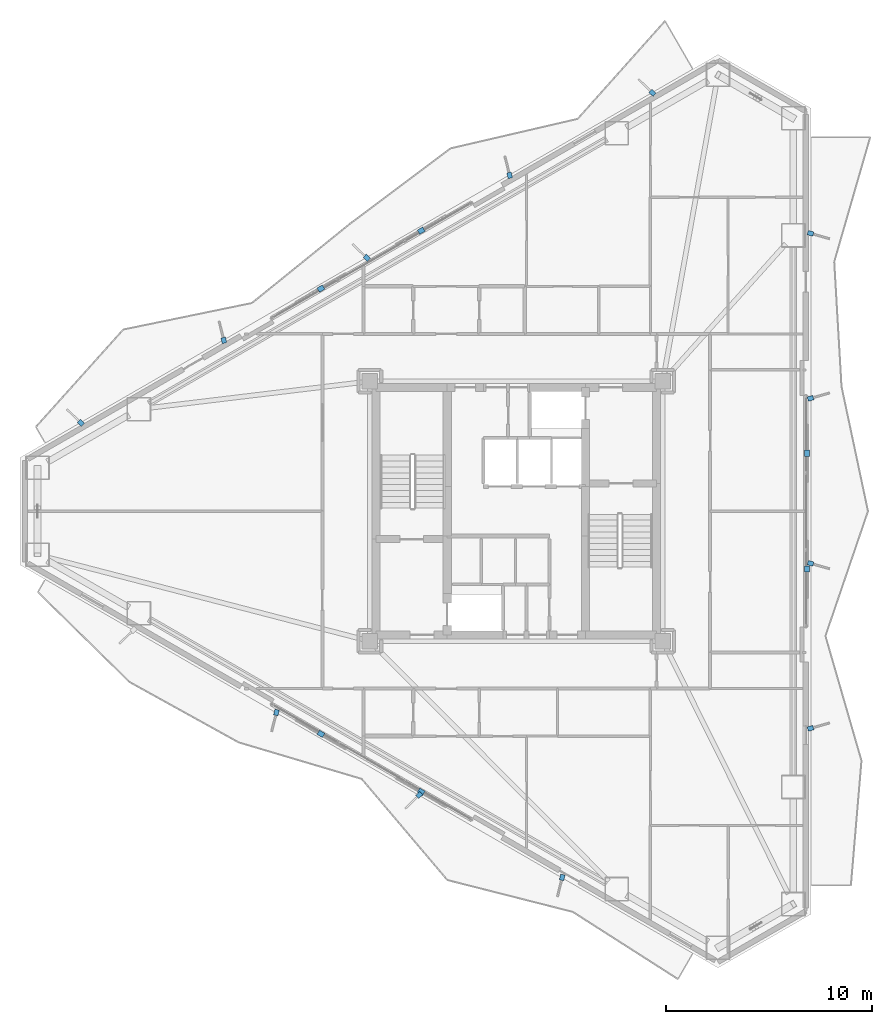
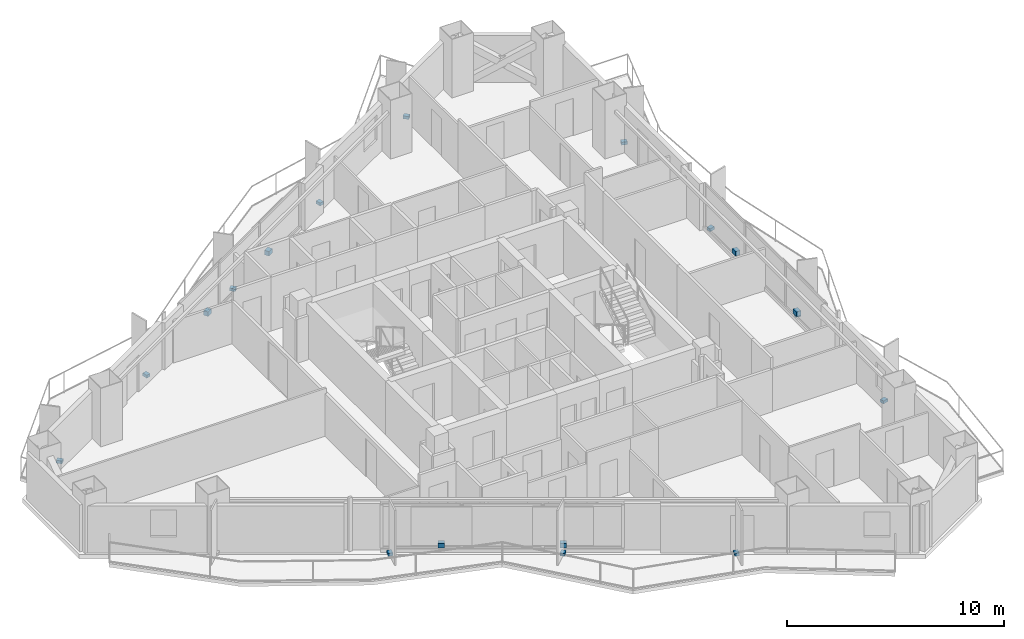
# One storey, part 20 of 22: 18 discrete accessories.
"""IFC4 building model written with IfcOpenShell, lengths in metres."""

from ifc_helpers import new_model, si_unit, direction, frame, origin, origin_2d, place, context, subcontext, project, spatial, rectangle, extrude, material, layer, layer_set, type_object, element, save


model = new_model("IFC4")

# Units and contexts
model_context = context("Model", 3, precision=1e-05, world=origin(), true_north=direction((0.0, 1.0)))
body_context = subcontext(model_context, "Body", "Model", "MODEL_VIEW")
ifc_project = project(units=[si_unit("LENGTHUNIT", "METRE"), si_unit("AREAUNIT", "SQUARE_METRE"), si_unit("VOLUMEUNIT", "CUBIC_METRE"), si_unit("PLANEANGLEUNIT", "RADIAN"), si_unit("MASSUNIT", "GRAM", prefix="KILO")], contexts=[model_context])

# Site, building, storey
site_placement = place(None, origin())
site = spatial("IfcSite", under=ifc_project, at=site_placement, CompositionType="ELEMENT")
building_placement = place(site_placement, origin())
building = spatial("IfcBuilding", under=site, at=building_placement, Name="Mersakhor Tower and Convention Hall", CompositionType="ELEMENT")
storey_placement = place(building_placement, frame((0.0, 0.0, 113.10009765625)))
storey = spatial("IfcBuildingStorey", under=building, at=storey_placement, Name="L31", CompositionType="ELEMENT", Elevation=113.10009765625)

# Discrete accessories
ifc_material = material(Name="Galvanised steel bracket", Category="steel")
ifc_layer = layer(ifc_material, 0.02001953125)
ifc_layer_set = layer_set([ifc_layer], Name="Galvanised steel bracket")
discrete_accessory_type = type_object("IfcDiscreteAccessoryType", Name="ACC-BRK-STL", PredefinedType="BRACKET", material=ifc_layer_set)
for number, where, z_axis, x_axis, name in (
    (1, (19.5263671875, 37.5439453125, 0.2900390625), (0.0, 0.0, 1.0), (0.866025403784, 0.5, 0.0), "L31 Solar Screen Outrigger Bracket BRK-1-1"),
    (2, (24.388916015625, 40.351318359375, 0.2900390625), (0.0, 0.0, 1.0), (0.866025403784, 0.5, 0.0), "L31 Solar Screen Outrigger Bracket BRK-1-2"),
):
    element("IfcDiscreteAccessory", number, at=place(storey_placement, frame(where, z_axis=z_axis, x_axis=x_axis)), inside=storey, type_object=discrete_accessory_type, Name=name, PredefinedType="BRACKET", context=body_context, shape_type="SweptSolid", body=[
        extrude(rectangle(XDim=0.300048828125, YDim=0.239990234375, at=origin_2d()), origin(), (0.0, 0.0, 1.0), 0.260009765625),
    ])
for number, where, z_axis, x_axis, name in (
    (3, (7.89111328125, 31.0341796875, -0.02001953125), (0.0, 0.0, 1.0), (-0.719339800339, 0.694658370459, 0.0), "L31 Facade Fin Base Cleat Bracket FBRK-1-1"),
    (4, (14.8193359375, 35.0341796875, -0.02001953125), (0.0, 0.0, 1.0), (-0.2419218956, 0.970295726276, 0.0), "L31 Facade Fin Base Cleat Bracket FBRK-1-2"),
    (5, (21.74755859375, 39.0341796875, -0.02001953125), (0.0, 0.0, 1.0), (-0.719339800339, 0.694658370459, 0.0), "L31 Facade Fin Base Cleat Bracket FBRK-1-3"),
    (6, (28.67578125, 43.0341796875, -0.02001953125), (0.0, 0.0, 1.0), (-0.2419218956, 0.970295726276, 0.0), "L31 Facade Fin Base Cleat Bracket FBRK-1-4"),
    (7, (35.60400390625, 47.0341796875, -0.02001953125), (0.0, 0.0, 1.0), (-0.719339800339, 0.694658370459, 0.0), "L31 Facade Fin Base Cleat Bracket FBRK-1-5"),
):
    element("IfcDiscreteAccessory", number, at=place(storey_placement, frame(where, z_axis=z_axis, x_axis=x_axis)), inside=storey, type_object=discrete_accessory_type, Name=name, PredefinedType="BRACKET", context=body_context, shape_type="SweptSolid", body=[
        extrude(rectangle(XDim=0.280029296875, YDim=0.219970703125, at=origin_2d()), origin(), (0.0, 0.0, 1.0), 0.159912109375),
    ])
for number, where, z_axis, x_axis, name in (
    (8, (43.084716796875, 29.557373046875, 0.2900390625), (0.0, 0.0, 1.0), (0.0, -1.0, 0.0), "L31 Solar Screen Outrigger Bracket BRK-2-1"),
    (9, (43.084716796875, 23.942626953125, 0.2900390625), (0.0, 0.0, 1.0), (0.0, -1.0, 0.0), "L31 Solar Screen Outrigger Bracket BRK-2-2"),
):
    element("IfcDiscreteAccessory", number, at=place(storey_placement, frame(where, z_axis=z_axis, x_axis=x_axis)), inside=storey, type_object=discrete_accessory_type, Name=name, PredefinedType="BRACKET", context=body_context, shape_type="SweptSolid", body=[
        extrude(rectangle(XDim=0.300048828125, YDim=0.239990234375, at=origin_2d()), origin(), (0.0, 0.0, 1.0), 0.260009765625),
    ])
for number, where, z_axis, x_axis, name in (
    (10, (43.2646484375, 40.221923828125, -0.02001953125), (0.0, 0.0, 1.0), (0.961261695938, -0.275637355817, 0.0), "L31 Facade Fin Base Cleat Bracket FBRK-2-1"),
    (11, (43.2646484375, 32.221923828125, -0.02001953125), (0.0, 0.0, 1.0), (0.961261695938, 0.275637355817, 0.0), "L31 Facade Fin Base Cleat Bracket FBRK-2-2"),
    (12, (43.2646484375, 24.221923828125, -0.02001953125), (0.0, 0.0, 1.0), (0.961261695938, -0.275637355817, 0.0), "L31 Facade Fin Base Cleat Bracket FBRK-2-3"),
    (13, (43.2646484375, 16.221923828125, -0.02001953125), (0.0, 0.0, 1.0), (0.961261695938, 0.275637355817, 0.0), "L31 Facade Fin Base Cleat Bracket FBRK-2-4"),
):
    element("IfcDiscreteAccessory", number, at=place(storey_placement, frame(where, z_axis=z_axis, x_axis=x_axis)), inside=storey, type_object=discrete_accessory_type, Name=name, PredefinedType="BRACKET", context=body_context, shape_type="SweptSolid", body=[
        extrude(rectangle(XDim=0.280029296875, YDim=0.219970703125, at=origin_2d()), origin(), (0.0, 0.0, 1.0), 0.159912109375),
    ])
for number, where, z_axis, x_axis, name in (
    (14, (24.388916015625, 13.148681640625, 0.2900390625), (0.0, 0.0, 1.0), (-0.866025403784, 0.5, 0.0), "L31 Solar Screen Outrigger Bracket BRK-3-1"),
    (15, (19.526611328125, 15.9560546875, 0.2900390625), (0.0, 0.0, 1.0), (-0.866025403784, 0.5, 0.0), "L31 Solar Screen Outrigger Bracket BRK-3-2"),
):
    element("IfcDiscreteAccessory", number, at=place(storey_placement, frame(where, z_axis=z_axis, x_axis=x_axis)), inside=storey, type_object=discrete_accessory_type, Name=name, PredefinedType="BRACKET", context=body_context, shape_type="SweptSolid", body=[
        extrude(rectangle(XDim=0.300048828125, YDim=0.239990234375, at=origin_2d()), origin(), (0.0, 0.0, 1.0), 0.260009765625),
    ])
for number, where, z_axis, x_axis, name in (
    (16, (31.225341796875, 8.993896484375, -0.02001953125), (0.0, 0.0, 1.0), (-0.2419218956, -0.970295726276, 0.0), "L31 Facade Fin Base Cleat Bracket FBRK-3-1"),
    (17, (24.297119140625, 12.993896484375, -0.02001953125), (0.0, 0.0, 1.0), (-0.719339800339, -0.694658370459, 0.0), "L31 Facade Fin Base Cleat Bracket FBRK-3-2"),
    (18, (17.368896484375, 16.993896484375, -0.02001953125), (0.0, 0.0, 1.0), (-0.2419218956, -0.970295726276, 0.0), "L31 Facade Fin Base Cleat Bracket FBRK-3-3"),
):
    element("IfcDiscreteAccessory", number, at=place(storey_placement, frame(where, z_axis=z_axis, x_axis=x_axis)), inside=storey, type_object=discrete_accessory_type, Name=name, PredefinedType="BRACKET", context=body_context, shape_type="SweptSolid", body=[
        extrude(rectangle(XDim=0.280029296875, YDim=0.219970703125, at=origin_2d()), origin(), (0.0, 0.0, 1.0), 0.159912109375),
    ])

save(model, "model.ifc")
